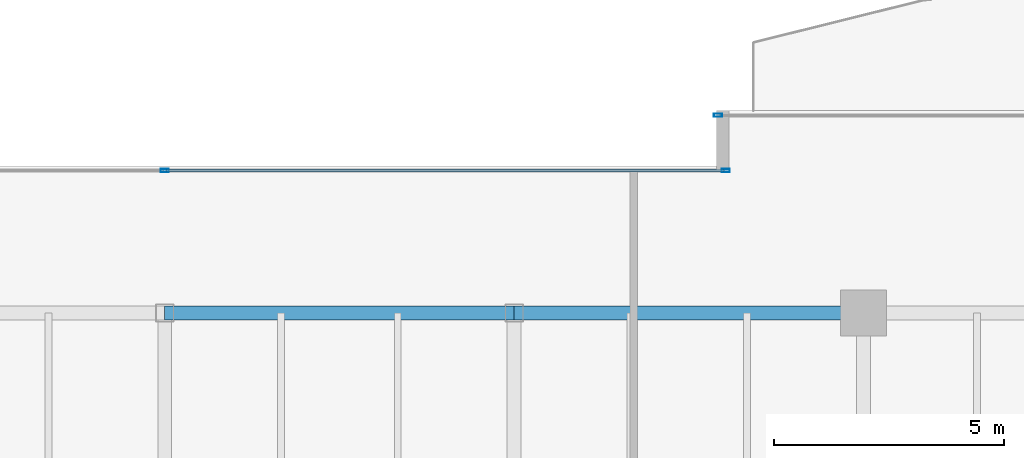
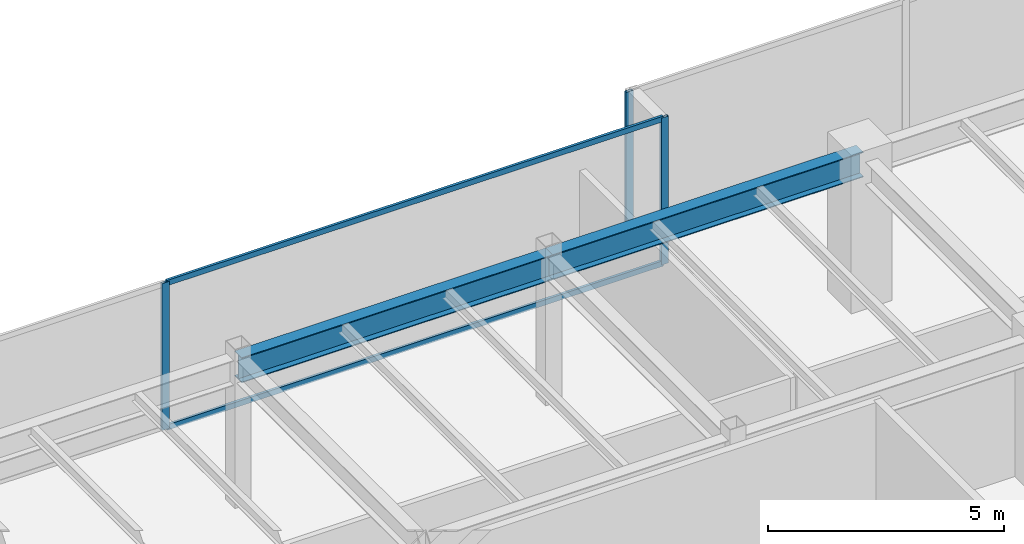
# One storey, part 19 of 34: 5 members, 2 beams, 2 elements without a shape of their own.
"""IFC4 building model written with IfcOpenShell, lengths in metres."""

from ifc_helpers import new_model, si_unit, direction, frame, origin, origin_2d, place, context, subcontext, project, spatial, hollow_rectangle, i_section, extrude, source, transform, mapped, material, layer, layer_set, material_profile, profile_set, type_object, type_shapes, element, aggregate, save


model = new_model("IFC4")

# Units and contexts
model_context = context("Model", 3, precision=1e-05, world=origin(), true_north=direction((0.0, 1.0)))
body_context = subcontext(model_context, "Body", "Model", "MODEL_VIEW")
ifc_project = project(units=[si_unit("LENGTHUNIT", "METRE"), si_unit("AREAUNIT", "SQUARE_METRE"), si_unit("VOLUMEUNIT", "CUBIC_METRE"), si_unit("PLANEANGLEUNIT", "RADIAN"), si_unit("MASSUNIT", "GRAM", prefix="KILO")], contexts=[model_context])

# Site, building, storey
site_placement = place(None, origin())
site = spatial("IfcSite", under=ifc_project, at=site_placement, CompositionType="ELEMENT")
building_placement = place(site_placement, origin())
building = spatial("IfcBuilding", under=site, at=building_placement, Name="Haelvirn Gate Laboratories", CompositionType="ELEMENT")
storey_placement = place(building_placement, frame((0.0, 0.0, 205.5)))
storey = spatial("IfcBuildingStorey", under=building, at=storey_placement, Name="L49", CompositionType="ELEMENT", Elevation=205.5)

# Beams
ifc_material_1 = material(Name="Steel SM355", Category="steel")
ifc_material_profile_1 = material_profile(ifc_material_1, i_section(OverallWidth=0.300048828125, OverallDepth=0.64990234375, WebThickness=0.012939453125, FlangeThickness=0.02197265625, at=origin_2d()), Name="H-650x300x13x22")
ifc_profile_set_1 = profile_set([ifc_material_profile_1], Name="Steel SM355")
beam_type = type_object("IfcBeamType", Name="BM-G-650", PredefinedType="BEAM", material=ifc_profile_set_1)
shared_shape_1 = source(origin(), body_context, "Body", "SweptSolid", [
    extrude(i_section(OverallWidth=0.300048828125, OverallDepth=0.64990234375, WebThickness=0.012939453125, FlangeThickness=0.02197265625, at=origin_2d()), origin(), (0.0, 0.0, 1.0), 7.60009765625),
])
type_shapes(beam_type, [shared_shape_1])
for number, where, z_axis, x_axis, name in (
    (1, (37.39990234375, 41.60009765625, 3.47509765625), (1.0, 0.0, 0.0), (0.0, 1.0, 0.0), "L49 Primary Girder Y41.6 (37.4-45.0)"),
    (2, (45.0, 41.60009765625, 3.47509765625), (1.0, 0.0, 0.0), (0.0, 1.0, 0.0), "L49 Primary Girder Y41.6 (45.0-52.6)"),
):
    element("IfcBeam", number, at=place(storey_placement, frame(where, z_axis=z_axis, x_axis=x_axis)), inside=storey, type_object=beam_type, Name=name, PredefinedType="BEAM", context=body_context, shape_type="MappedRepresentation", body=[
        mapped(shared_shape_1, transform((0.0, 0.0, 0.0), scale=1.0)),
    ])

# Curtain wall, members
ifc_material_2 = material(Name="Anodised bronze unitised aluminium & triple low-E glass", Category="aluminium")
ifc_layer = layer(ifc_material_2, 0.176025390625, Name="CW-SYS-4")
ifc_layer_set = layer_set([ifc_layer], Name="Anodised bronze unitised aluminium & triple low-E glass")
curtain_wall_type = type_object("IfcCurtainWallType", Name="CW-SYS-4", PredefinedType="NOTDEFINED", material=ifc_layer_set)
curtain_wall_1_placement = place(storey_placement, origin())
curtain_wall_1 = element("IfcCurtainWall", 3, at=curtain_wall_1_placement, inside=storey, type_object=curtain_wall_type, Name="L49 Unitised Curtain Wall CW-L49-P0-E12-1", PredefinedType="NOTDEFINED")
ifc_material_3 = material(Name="Extruded aluminium 6063-T6 (anodised bronze)", Category="aluminium")
ifc_material_profile_2 = material_profile(ifc_material_3, hollow_rectangle(XDim=0.06494140625, YDim=0.139892578125, WallThickness=0.00390625, at=origin_2d()), Name="CWT-140x65x4")
ifc_profile_set_2 = profile_set([ifc_material_profile_2], Name="Extruded aluminium 6063-T6 (anodised bronze)")
member_type_1 = type_object("IfcMemberType", Name="CWT-T140", PredefinedType="USERDEFINED", material=ifc_profile_set_2)
shared_shape_2 = source(origin(), body_context, "Body", "SweptSolid", [
    extrude(hollow_rectangle(XDim=0.06494140625, YDim=0.139892578125, WallThickness=0.00390625, at=origin_2d()), origin(), (0.0, 0.0, 1.0), 12.135009765625),
])
type_shapes(member_type_1, [shared_shape_2])
member_1_placement = place(storey_placement, frame((37.43505859375, 44.699951171875, 0.032470703125), z_axis=(1.0, 0.0, 0.0), x_axis=(0.0, 1.0, 0.0)))
member_1 = element("IfcMember", 4, at=member_1_placement, type_object=member_type_1, Name="CW4 transom 2.1", ObjectType="TRANSOM", PredefinedType="USERDEFINED", context=body_context, shape_type="MappedRepresentation", body=[
    mapped(shared_shape_2, transform((0.0, 0.0, 0.0), scale=1.0)),
])
member_2_placement = place(storey_placement, frame((37.43505859375, 44.699951171875, 3.767578125), z_axis=(1.0, 0.0, 0.0), x_axis=(0.0, 1.0, 0.0)))
member_2 = element("IfcMember", 5, at=member_2_placement, type_object=member_type_1, Name="CW4 transom 2.2", ObjectType="TRANSOM", PredefinedType="USERDEFINED", context=body_context, shape_type="MappedRepresentation", body=[
    mapped(shared_shape_2, transform((0.0, 0.0, 0.0), scale=1.0)),
])

# Curtain wall, member
curtain_wall_2_placement = place(storey_placement, origin())
curtain_wall_2 = element("IfcCurtainWall", 6, at=curtain_wall_2_placement, inside=storey, type_object=curtain_wall_type, Name="L49 Unitised Curtain Wall CW-L49-P0-E10-1", PredefinedType="NOTDEFINED")
ifc_material_profile_3 = material_profile(ifc_material_3, hollow_rectangle(XDim=0.070068359375, YDim=0.179931640625, WallThickness=0.0048828125, at=origin_2d()), Name="CWM-180x70x5")
ifc_profile_set_3 = profile_set([ifc_material_profile_3], Name="Extruded aluminium 6063-T6 (anodised bronze)")
member_type_2 = type_object("IfcMemberType", Name="CWM-T180", PredefinedType="MULLION", material=ifc_profile_set_3)
shared_shape_3 = source(origin(), body_context, "Body", "SweptSolid", [
    extrude(hollow_rectangle(XDim=0.070068359375, YDim=0.179931640625, WallThickness=0.0048828125, at=origin_2d()), origin(), (0.0, 0.0, 1.0), 3.800048828125),
])
type_shapes(member_type_2, [shared_shape_3])
member_3_placement = place(storey_placement, frame((49.43505859375, 45.89990234375, 0.0), z_axis=(0.0, 0.0, 1.0), x_axis=(0.0, 1.0, 0.0)))
member_3 = element("IfcMember", 7, at=member_3_placement, type_object=member_type_2, Name="CW4 mullion 1", PredefinedType="MULLION", context=body_context, shape_type="MappedRepresentation", body=[
    mapped(shared_shape_3, transform((0.0, 0.0, 0.0), scale=1.0)),
])
aggregate(curtain_wall_2, [member_3])

# Member
member_4_placement = place(storey_placement, frame((37.39990234375, 44.699951171875, 0.0), z_axis=(0.0, 0.0, 1.0), x_axis=(0.0, 1.0, 0.0)))
member_4 = element("IfcMember", 8, at=member_4_placement, type_object=member_type_2, Name="CW4 mullion 2", PredefinedType="MULLION", context=body_context, shape_type="MappedRepresentation", body=[
    mapped(shared_shape_3, transform((0.0, 0.0, 0.0), scale=1.0)),
])

member_5_placement = place(storey_placement, frame((49.60498046875, 44.699951171875, 0.0), z_axis=(0.0, 0.0, 1.0), x_axis=(0.0, 1.0, 0.0)))
member_5 = element("IfcMember", 9, at=member_5_placement, type_object=member_type_2, Name="CW4 mullion 3", PredefinedType="MULLION", context=body_context, shape_type="MappedRepresentation", body=[
    mapped(shared_shape_3, transform((0.0, 0.0, 0.0), scale=1.0)),
])

aggregate(curtain_wall_1, [member_4, member_5, member_1, member_2])

save(model, "model.ifc")
